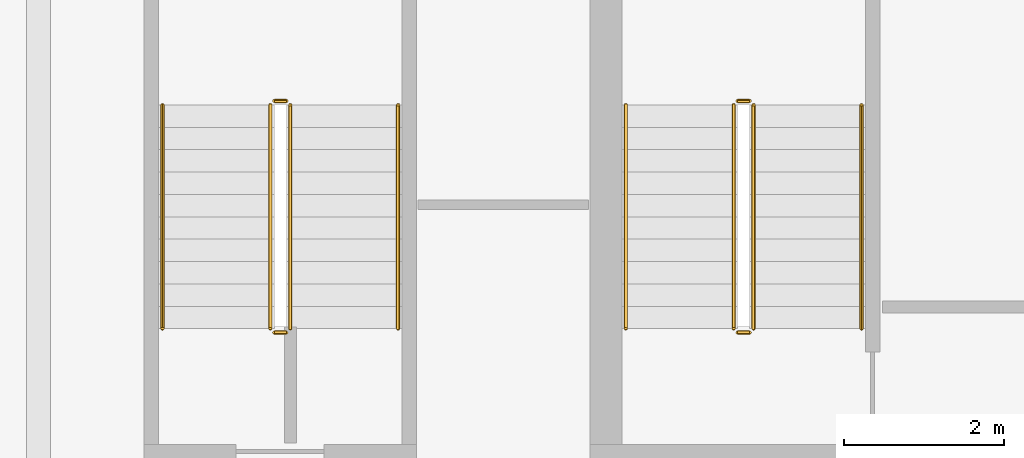
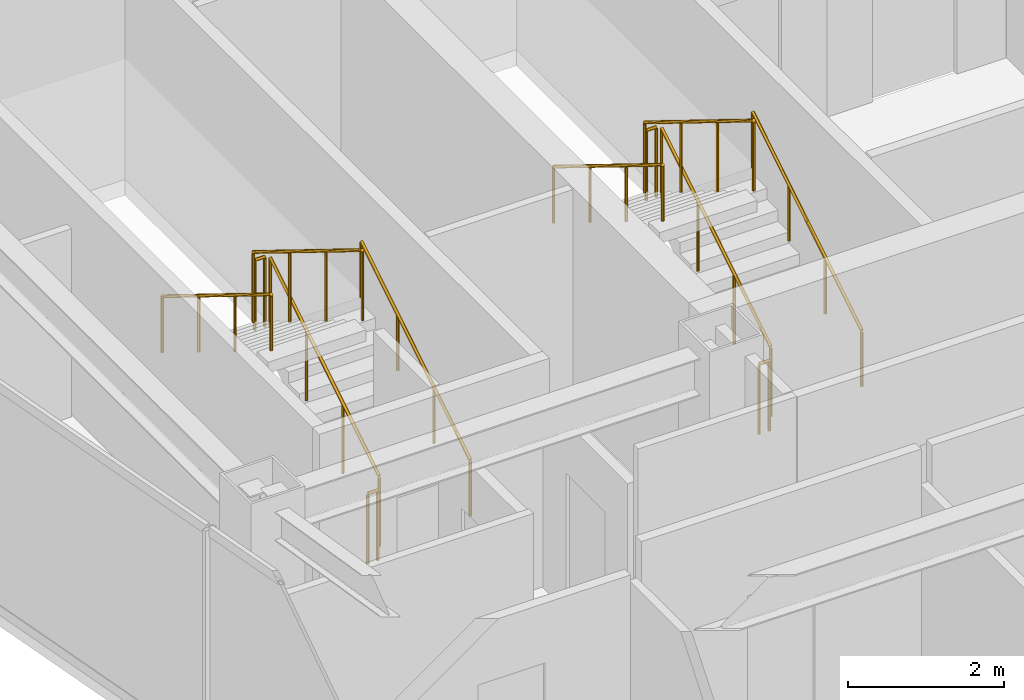
# One storey, part 31 of 33: 12 railings.
"""IFC4 building model written with IfcOpenShell, lengths in metres."""

import ifcopenshell
import ifcopenshell.guid

model = None  # the IFC model being written
_history = None  # IfcOwnerHistory: only IFC2X3 demands one
_inside = {}  # id of a spatial element -> (the spatial element, [elements in it])
_under = {}  # id of a project, library or spatial element -> (it, [spatial elements below it])
_declared = {}  # id of a project -> (the project, [libraries it declares])
_typed = {}  # id of a type object -> (the type object, [elements of that type])
_made_of = {}  # id of a material, layer set ... -> (it, [elements and type objects made of it])


def new_model(schema):
    """Start an empty IFC model of exactly this schema.

    Asked for "IFC4X3", IfcOpenShell would pick the latest addendum, in which some entities
    have other attributes; the version numbers below select the first issue.
    IFC2X3 requires an IfcOwnerHistory on every rooted entity: one is made here for all.
    """
    global model, _history
    if schema == "IFC4X3":
        model = ifcopenshell.file(schema_version=(4, 3, 0, 0))
    else:
        model = ifcopenshell.file(schema=schema)
    _inside.clear()
    _under.clear()
    _declared.clear()
    _typed.clear()
    _made_of.clear()
    _history = None
    if model.schema == "IFC2X3":
        org = make("IfcOrganization", Name="unknown")
        user = make(
            "IfcPersonAndOrganization",
            ThePerson=make("IfcPerson", FamilyName="unknown"),
            TheOrganization=org,
        )
        app = make(
            "IfcApplication",
            ApplicationDeveloper=org,
            Version="unknown",
            ApplicationFullName="unknown",
            ApplicationIdentifier="unknown",
        )
        _history = make(
            "IfcOwnerHistory",
            OwningUser=user,
            OwningApplication=app,
            ChangeAction="ADDED",
            CreationDate=0,
        )
    return model


def make(cls, **values):
    """One entity of the class cls with the attributes given. An attribute that is None is left unset."""
    return model.create_entity(
        cls, **{name: value for name, value in values.items() if value is not None}
    )


def rooted(cls, **values):
    """An entity with a GlobalId (a new one), such as an element, a storey or a relation."""
    return make(cls, GlobalId=ifcopenshell.guid.new(), OwnerHistory=_history, **values)


def si_unit(unit_type, name, prefix=None):
    """IfcSIUnit, for example si_unit("LENGTHUNIT", "METRE", prefix="MILLI")."""
    return make("IfcSIUnit", UnitType=unit_type, Prefix=prefix, Name=name)


def assignment(units):
    """IfcUnitAssignment: the units of a project."""
    return None if units is None else make("IfcUnitAssignment", Units=units)


def point(xyz):
    """IfcCartesianPoint."""
    return None if xyz is None else make("IfcCartesianPoint", Coordinates=xyz)


def direction(xyz):
    """IfcDirection."""
    return None if xyz is None else make("IfcDirection", DirectionRatios=xyz)


def frame(location, z_axis=None, x_axis=None):
    """IfcAxis2Placement3D, a coordinate frame: its origin and axes. An axis left out is left unset."""
    return make(
        "IfcAxis2Placement3D",
        Location=point(location),
        Axis=direction(z_axis),
        RefDirection=direction(x_axis),
    )


def frame_2d(location, x_axis=None):
    """IfcAxis2Placement2D, a coordinate frame in the plane: its origin and x axis."""
    return make(
        "IfcAxis2Placement2D", Location=point(location), RefDirection=direction(x_axis)
    )


def origin():
    """The frame at (0, 0, 0) with its axes left unset."""
    return frame((0.0, 0.0, 0.0))


def origin_2d():
    """The frame at (0, 0) in the plane with its x axis left unset."""
    return frame_2d((0.0, 0.0))


def place(relative_to, where):
    """IfcLocalPlacement: puts the frame where relative to a parent placement (None: the world)."""
    return make(
        "IfcLocalPlacement", PlacementRelTo=relative_to, RelativePlacement=where
    )


def context(
    kind, dimensions, precision=None, world=None, true_north=None, identifier=None
):
    """IfcGeometricRepresentationContext, for example the 3D "Model" context."""
    return make(
        "IfcGeometricRepresentationContext",
        ContextIdentifier=identifier,
        ContextType=kind,
        CoordinateSpaceDimension=dimensions,
        Precision=precision,
        WorldCoordinateSystem=world,
        TrueNorth=true_north,
    )


def subcontext(parent, identifier, kind, view, scale=None):
    """IfcGeometricRepresentationSubContext, for example "Body" below "Model"."""
    return make(
        "IfcGeometricRepresentationSubContext",
        ContextIdentifier=identifier,
        ContextType=kind,
        ParentContext=parent,
        TargetScale=scale,
        TargetView=view,
    )


def project(units=None, contexts=None):
    """IfcProject with its units and contexts."""
    return rooted(
        "IfcProject",
        Name="project",
        RepresentationContexts=contexts,
        UnitsInContext=assignment(units),
    )


def spatial(cls, under=None, at=None, **own):
    """A site, building, storey or space (cls), placed at a placement, below another one or the project."""
    s = rooted(cls, ObjectPlacement=at, **own)
    if under is not None:
        _under.setdefault(under.id(), (under, []))[1].append(s)
    return s


def profile(cls, at=None, kind="AREA", **sizes):
    """A parametric profile (cls). Its sizes go by their IFC names, for example OverallWidth=200.0."""
    return make(cls, ProfileType=kind, Position=at, **sizes)


def circle(**sizes):
    """IfcCircleProfileDef."""
    return profile("IfcCircleProfileDef", **sizes)


def extrude(swept, where, along, depth):
    """IfcExtrudedAreaSolid: the profile swept, set in the frame where, extruded along a direction by depth."""
    return make(
        "IfcExtrudedAreaSolid",
        SweptArea=swept,
        Position=where,
        ExtrudedDirection=direction(along),
        Depth=depth,
    )


def shape(context_of_items, identifier, shape_type, items):
    """IfcShapeRepresentation: the items that make up one representation, for example the "Body"."""
    return make(
        "IfcShapeRepresentation",
        ContextOfItems=context_of_items,
        RepresentationIdentifier=identifier,
        RepresentationType=shape_type,
        Items=items,
    )


def material(Name=None, Category=None):
    """IfcMaterial."""
    return make("IfcMaterial", Name=Name, Category=Category)


def made_of(thing, what):
    """Note that an element or type object is made of a material, layer set ...; save() writes the relation."""
    if what is not None:
        _made_of.setdefault(what.id(), (what, []))[1].append(thing)
    return thing


def type_object(cls, material=None, **own):
    """A type object (cls), such as IfcWallType, which elements share."""
    return made_of(rooted(cls, **own), material)


def element(
    cls,
    number,
    at=None,
    inside=None,
    cuts=None,
    type_object=None,
    material=None,
    context=None,
    identifier="Body",
    shape_type=None,
    held_by="IfcProductDefinitionShape",
    body=None,
    shapes=None,
    **own,
):
    """One element of the class cls, such as IfcWall. Its Tag is "e" and its number.

    at: its placement. inside: the storey or other place that contains it. cuts: it is an
    opening in that element (IfcRelVoidsElement). A single representation is given by context,
    identifier, shape_type and body (its items); several are given by shapes. held_by: the class
    of the entity that holds the representations. save() writes the other relations.
    """
    e = rooted(cls, Tag="e%d" % number, ObjectPlacement=at, **own)
    if body is not None:
        shapes = [shape(context, identifier, shape_type, body)]
    if shapes is not None:
        e.Representation = make(held_by, Representations=shapes)
    if inside is not None:
        _inside.setdefault(inside.id(), (inside, []))[1].append(e)
    if cuts is not None:
        rooted(
            "IfcRelVoidsElement", RelatingBuildingElement=cuts, RelatedOpeningElement=e
        )
    if type_object is not None:
        _typed.setdefault(type_object.id(), (type_object, []))[1].append(e)
    return made_of(e, material)


def aggregate(whole, parts):
    """IfcRelAggregates: a whole, such as a stair, and the parts it consists of."""
    return rooted("IfcRelAggregates", RelatingObject=whole, RelatedObjects=parts)


def save(model, path):
    """Write the relations noted so far, then the file.

    IfcRelAggregates (storeys below a building ...), IfcRelContainedInSpatialStructure (elements
    in a storey), IfcRelDefinesByType, IfcRelAssociatesMaterial and IfcRelDeclares: one each for
    every whole, place, type object, material and project.
    """
    for whole, parts in _under.values():
        aggregate(whole, parts)
    for where, things in _inside.values():
        rooted(
            "IfcRelContainedInSpatialStructure",
            RelatedElements=things,
            RelatingStructure=where,
        )
    for kind, things in _typed.values():
        rooted("IfcRelDefinesByType", RelatedObjects=things, RelatingType=kind)
    for what, things in _made_of.values():
        rooted("IfcRelAssociatesMaterial", RelatedObjects=things, RelatingMaterial=what)
    for by, libraries in _declared.values():
        rooted("IfcRelDeclares", RelatingContext=by, RelatedDefinitions=libraries)
    model.write(path)


model = new_model("IFC4")

# Units and contexts
model_context = context("Model", 3, precision=1e-05, world=origin(), true_north=direction((0.0, 1.0)))
body_context = subcontext(model_context, "Body", "Model", "MODEL_VIEW")
ifc_project = project(units=[si_unit("LENGTHUNIT", "METRE"), si_unit("AREAUNIT", "SQUARE_METRE"), si_unit("VOLUMEUNIT", "CUBIC_METRE"), si_unit("PLANEANGLEUNIT", "RADIAN"), si_unit("MASSUNIT", "GRAM", prefix="KILO")], contexts=[model_context])

# Site, building, storey
site_placement = place(None, origin())
site = spatial("IfcSite", under=ifc_project, at=site_placement, CompositionType="ELEMENT")
building_placement = place(site_placement, origin())
building = spatial("IfcBuilding", under=site, at=building_placement, Name="Saevonmaru Cultural Tower", CompositionType="ELEMENT")
storey_placement = place(building_placement, frame((0.0, 0.0, 234.39990234375)))
storey = spatial("IfcBuildingStorey", under=building, at=storey_placement, Name="L54", CompositionType="ELEMENT", Elevation=234.39990234375)

# Railings
ifc_material_1 = material(Name="Architectural Painted Steel", Category="steel")
railing_type_1 = type_object("IfcRailingType", Name="RL-STAIR-GUARD", PredefinedType="GUARDRAIL", material=ifc_material_1)
railing_1_placement = place(storey_placement, frame((15.75, 44.85009765625, 0.1728515625)))
element("IfcRailing", 1, at=railing_1_placement, inside=storey, type_object=railing_type_1, Name="L54 ST-1 stair guard 1", PredefinedType="GUARDRAIL", context=body_context, shape_type="SweptSolid", body=[
    extrude(circle(Radius=0.02392578125, at=origin_2d()), frame((0.0, 0.0, 1.09619140625), z_axis=(0.0, 0.851069175582, 0.525053576669), x_axis=(-1.0, 0.0, 0.0)), (0.0, 0.0, 1.0), 3.289794921875),
    extrude(circle(Radius=0.02099609375, at=origin_2d()), origin(), (0.0, 0.0, 1.0), 1.072021484375),
    extrude(circle(Radius=0.02099609375, at=origin_2d()), frame((0.0, 0.933349609375, 0.57568359375)), (0.0, 0.0, 1.0), 1.072021484375),
    extrude(circle(Radius=0.02099609375, at=origin_2d()), frame((0.0, 1.866455078125, 1.151611328125)), (0.0, 0.0, 1.0), 1.072021484375),
    extrude(circle(Radius=0.02099609375, at=origin_2d()), frame((0.0, 2.7998046875, 1.727294921875)), (0.0, 0.0, 1.0), 1.072021484375),
])
railing_2_placement = place(storey_placement, frame((15.699951171875, 47.699951171875, 1.900146484375)))
element("IfcRailing", 2, at=railing_2_placement, inside=storey, type_object=railing_type_1, Name="L54 ST-1 stair guard 2", PredefinedType="GUARDRAIL", context=body_context, shape_type="SweptSolid", body=[
    extrude(circle(Radius=0.02392578125, at=origin_2d()), frame((0.0, 0.0, 1.09619140625), z_axis=(-1.0, 0.0, 0.0), x_axis=(0.0, -1.0, 0.0)), (0.0, 0.0, 1.0), 0.14990234375),
    extrude(circle(Radius=0.02099609375, at=origin_2d()), origin(), (0.0, 0.0, 1.0), 1.072021484375),
    extrude(circle(Radius=0.02099609375, at=origin_2d()), frame((-0.14990234375, 0.0, 0.0)), (0.0, 0.0, 1.0), 1.072021484375),
])
railing_3_placement = place(storey_placement, frame((15.5, 47.64990234375, 2.07275390625)))
element("IfcRailing", 3, at=railing_3_placement, inside=storey, type_object=railing_type_1, Name="L54 ST-1 stair guard 3", PredefinedType="GUARDRAIL", context=body_context, shape_type="SweptSolid", body=[
    extrude(circle(Radius=0.02392578125, at=origin_2d()), frame((0.0, 0.0, 1.09619140625), z_axis=(0.0, -0.851069175582, 0.525053576669), x_axis=(1.0, 0.0, 0.0)), (0.0, 0.0, 1.0), 3.289794921875),
    extrude(circle(Radius=0.02099609375, at=origin_2d()), origin(), (0.0, 0.0, 1.0), 1.072021484375),
    extrude(circle(Radius=0.02099609375, at=origin_2d()), frame((0.0, -0.933349609375, 0.57568359375)), (0.0, 0.0, 1.0), 1.072021484375),
    extrude(circle(Radius=0.02099609375, at=origin_2d()), frame((0.0, -1.866455078125, 1.151611328125)), (0.0, 0.0, 1.0), 1.072021484375),
    extrude(circle(Radius=0.02099609375, at=origin_2d()), frame((0.0, -2.7998046875, 1.727294921875)), (0.0, 0.0, 1.0), 1.072021484375),
])
railing_4_placement = place(storey_placement, frame((15.699951171875, 44.800048828125, 0.0)))
element("IfcRailing", 4, at=railing_4_placement, inside=storey, type_object=railing_type_1, Name="L54 ST-1 stair guard 4", PredefinedType="GUARDRAIL", context=body_context, shape_type="SweptSolid", body=[
    extrude(circle(Radius=0.02392578125, at=origin_2d()), frame((0.0, 0.0, 1.09619140625), z_axis=(-1.0, 0.0, 0.0), x_axis=(0.0, -1.0, 0.0)), (0.0, 0.0, 1.0), 0.14990234375),
    extrude(circle(Radius=0.02099609375, at=origin_2d()), origin(), (0.0, 0.0, 1.0), 1.072021484375),
    extrude(circle(Radius=0.02099609375, at=origin_2d()), frame((-0.14990234375, 0.0, 0.0)), (0.0, 0.0, 1.0), 1.072021484375),
])
railing_5_placement = place(storey_placement, frame((9.949951171875, 44.85009765625, 0.1728515625)))
element("IfcRailing", 5, at=railing_5_placement, inside=storey, type_object=railing_type_1, Name="L54 ST-3 stair guard 1", PredefinedType="GUARDRAIL", context=body_context, shape_type="SweptSolid", body=[
    extrude(circle(Radius=0.02392578125, at=origin_2d()), frame((0.0, 0.0, 1.09619140625), z_axis=(0.0, 0.851069175582, 0.525053576669), x_axis=(-1.0, 0.0, 0.0)), (0.0, 0.0, 1.0), 3.289794921875),
    extrude(circle(Radius=0.02099609375, at=origin_2d()), origin(), (0.0, 0.0, 1.0), 1.072021484375),
    extrude(circle(Radius=0.02099609375, at=origin_2d()), frame((0.0, 0.933349609375, 0.57568359375)), (0.0, 0.0, 1.0), 1.072021484375),
    extrude(circle(Radius=0.02099609375, at=origin_2d()), frame((0.0, 1.866455078125, 1.151611328125)), (0.0, 0.0, 1.0), 1.072021484375),
    extrude(circle(Radius=0.02099609375, at=origin_2d()), frame((0.0, 2.7998046875, 1.727294921875)), (0.0, 0.0, 1.0), 1.072021484375),
])
railing_6_placement = place(storey_placement, frame((9.89990234375, 47.699951171875, 1.900146484375)))
element("IfcRailing", 6, at=railing_6_placement, inside=storey, type_object=railing_type_1, Name="L54 ST-3 stair guard 2", PredefinedType="GUARDRAIL", context=body_context, shape_type="SweptSolid", body=[
    extrude(circle(Radius=0.02392578125, at=origin_2d()), frame((0.0, 0.0, 1.09619140625), z_axis=(-1.0, 0.0, 0.0), x_axis=(0.0, -1.0, 0.0)), (0.0, 0.0, 1.0), 0.14990234375),
    extrude(circle(Radius=0.02099609375, at=origin_2d()), origin(), (0.0, 0.0, 1.0), 1.072021484375),
    extrude(circle(Radius=0.02099609375, at=origin_2d()), frame((-0.14990234375, 0.0, 0.0)), (0.0, 0.0, 1.0), 1.072021484375),
])
railing_7_placement = place(storey_placement, frame((9.699951171875, 47.64990234375, 2.07275390625)))
element("IfcRailing", 7, at=railing_7_placement, inside=storey, type_object=railing_type_1, Name="L54 ST-3 stair guard 3", PredefinedType="GUARDRAIL", context=body_context, shape_type="SweptSolid", body=[
    extrude(circle(Radius=0.02392578125, at=origin_2d()), frame((0.0, 0.0, 1.09619140625), z_axis=(0.0, -0.851069175582, 0.525053576669), x_axis=(1.0, 0.0, 0.0)), (0.0, 0.0, 1.0), 3.289794921875),
    extrude(circle(Radius=0.02099609375, at=origin_2d()), origin(), (0.0, 0.0, 1.0), 1.072021484375),
    extrude(circle(Radius=0.02099609375, at=origin_2d()), frame((0.0, -0.933349609375, 0.57568359375)), (0.0, 0.0, 1.0), 1.072021484375),
    extrude(circle(Radius=0.02099609375, at=origin_2d()), frame((0.0, -1.866455078125, 1.151611328125)), (0.0, 0.0, 1.0), 1.072021484375),
    extrude(circle(Radius=0.02099609375, at=origin_2d()), frame((0.0, -2.7998046875, 1.727294921875)), (0.0, 0.0, 1.0), 1.072021484375),
])
railing_8_placement = place(storey_placement, frame((9.89990234375, 44.800048828125, 0.0)))
element("IfcRailing", 8, at=railing_8_placement, inside=storey, type_object=railing_type_1, Name="L54 ST-3 stair guard 4", PredefinedType="GUARDRAIL", context=body_context, shape_type="SweptSolid", body=[
    extrude(circle(Radius=0.02392578125, at=origin_2d()), frame((0.0, 0.0, 1.09619140625), z_axis=(-1.0, 0.0, 0.0), x_axis=(0.0, -1.0, 0.0)), (0.0, 0.0, 1.0), 0.14990234375),
    extrude(circle(Radius=0.02099609375, at=origin_2d()), origin(), (0.0, 0.0, 1.0), 1.072021484375),
    extrude(circle(Radius=0.02099609375, at=origin_2d()), frame((-0.14990234375, 0.0, 0.0)), (0.0, 0.0, 1.0), 1.072021484375),
])
ifc_material_2 = material(Name="Satin Bronze Anodised Aluminium", Category="aluminium")
railing_type_2 = type_object("IfcRailingType", Name="RL-STAIR-HANDRAIL", PredefinedType="HANDRAIL", material=ifc_material_2)
railing_9_placement = place(storey_placement, frame((17.10009765625, 44.85009765625, 0.1728515625)))
element("IfcRailing", 9, at=railing_9_placement, inside=storey, type_object=railing_type_2, Name="L54 ST-1 stair handrail 1", PredefinedType="HANDRAIL", context=body_context, shape_type="SweptSolid", body=[
    extrude(circle(Radius=0.02392578125, at=origin_2d()), frame((0.0, 0.0, 0.8759765625), z_axis=(0.0, 0.851069175582, 0.525053576669), x_axis=(-1.0, 0.0, 0.0)), (0.0, 0.0, 1.0), 3.289794921875),
    extrude(circle(Radius=0.02099609375, at=origin_2d()), origin(), (0.0, 0.0, 1.0), 0.851806640625),
    extrude(circle(Radius=0.02099609375, at=origin_2d()), frame((0.0, 0.933349609375, 0.57568359375)), (0.0, 0.0, 1.0), 0.851806640625),
    extrude(circle(Radius=0.02099609375, at=origin_2d()), frame((0.0, 1.866455078125, 1.151611328125)), (0.0, 0.0, 1.0), 0.851806640625),
    extrude(circle(Radius=0.02099609375, at=origin_2d()), frame((0.0, 2.7998046875, 1.727294921875)), (0.0, 0.0, 1.0), 0.851806640625),
])
railing_10_placement = place(storey_placement, frame((14.14990234375, 47.64990234375, 2.07275390625)))
element("IfcRailing", 10, at=railing_10_placement, inside=storey, type_object=railing_type_2, Name="L54 ST-1 stair handrail 2", PredefinedType="HANDRAIL", context=body_context, shape_type="SweptSolid", body=[
    extrude(circle(Radius=0.02392578125, at=origin_2d()), frame((0.0, 0.0, 0.8759765625), z_axis=(0.0, -0.851069175582, 0.525053576669), x_axis=(1.0, 0.0, 0.0)), (0.0, 0.0, 1.0), 3.289794921875),
    extrude(circle(Radius=0.02099609375, at=origin_2d()), origin(), (0.0, 0.0, 1.0), 0.851806640625),
    extrude(circle(Radius=0.02099609375, at=origin_2d()), frame((0.0, -0.933349609375, 0.57568359375)), (0.0, 0.0, 1.0), 0.851806640625),
    extrude(circle(Radius=0.02099609375, at=origin_2d()), frame((0.0, -1.866455078125, 1.151611328125)), (0.0, 0.0, 1.0), 0.851806640625),
    extrude(circle(Radius=0.02099609375, at=origin_2d()), frame((0.0, -2.7998046875, 1.727294921875)), (0.0, 0.0, 1.0), 0.851806640625),
])
railing_11_placement = place(storey_placement, frame((11.300048828125, 44.85009765625, 0.1728515625)))
element("IfcRailing", 11, at=railing_11_placement, inside=storey, type_object=railing_type_2, Name="L54 ST-3 stair handrail 1", PredefinedType="HANDRAIL", context=body_context, shape_type="SweptSolid", body=[
    extrude(circle(Radius=0.02392578125, at=origin_2d()), frame((0.0, 0.0, 0.8759765625), z_axis=(0.0, 0.851069175582, 0.525053576669), x_axis=(-1.0, 0.0, 0.0)), (0.0, 0.0, 1.0), 3.289794921875),
    extrude(circle(Radius=0.02099609375, at=origin_2d()), origin(), (0.0, 0.0, 1.0), 0.851806640625),
    extrude(circle(Radius=0.02099609375, at=origin_2d()), frame((0.0, 0.933349609375, 0.57568359375)), (0.0, 0.0, 1.0), 0.851806640625),
    extrude(circle(Radius=0.02099609375, at=origin_2d()), frame((0.0, 1.866455078125, 1.151611328125)), (0.0, 0.0, 1.0), 0.851806640625),
    extrude(circle(Radius=0.02099609375, at=origin_2d()), frame((0.0, 2.7998046875, 1.727294921875)), (0.0, 0.0, 1.0), 0.851806640625),
])
railing_12_placement = place(storey_placement, frame((8.35009765625, 47.64990234375, 2.07275390625)))
element("IfcRailing", 12, at=railing_12_placement, inside=storey, type_object=railing_type_2, Name="L54 ST-3 stair handrail 2", PredefinedType="HANDRAIL", context=body_context, shape_type="SweptSolid", body=[
    extrude(circle(Radius=0.02392578125, at=origin_2d()), frame((0.0, 0.0, 0.8759765625), z_axis=(0.0, -0.851069175582, 0.525053576669), x_axis=(1.0, 0.0, 0.0)), (0.0, 0.0, 1.0), 3.289794921875),
    extrude(circle(Radius=0.02099609375, at=origin_2d()), origin(), (0.0, 0.0, 1.0), 0.851806640625),
    extrude(circle(Radius=0.02099609375, at=origin_2d()), frame((0.0, -0.933349609375, 0.57568359375)), (0.0, 0.0, 1.0), 0.851806640625),
    extrude(circle(Radius=0.02099609375, at=origin_2d()), frame((0.0, -1.866455078125, 1.151611328125)), (0.0, 0.0, 1.0), 0.851806640625),
    extrude(circle(Radius=0.02099609375, at=origin_2d()), frame((0.0, -2.7998046875, 1.727294921875)), (0.0, 0.0, 1.0), 0.851806640625),
])

save(model, "model.ifc")
